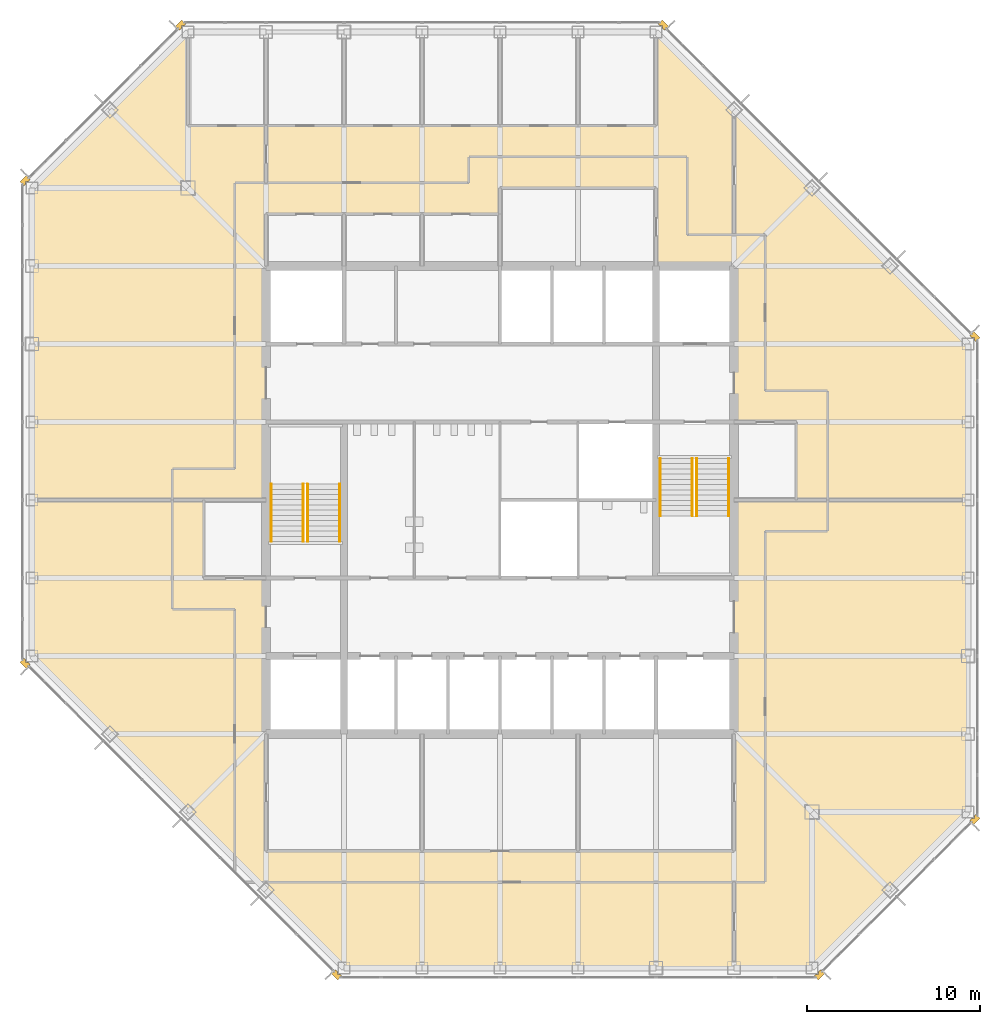
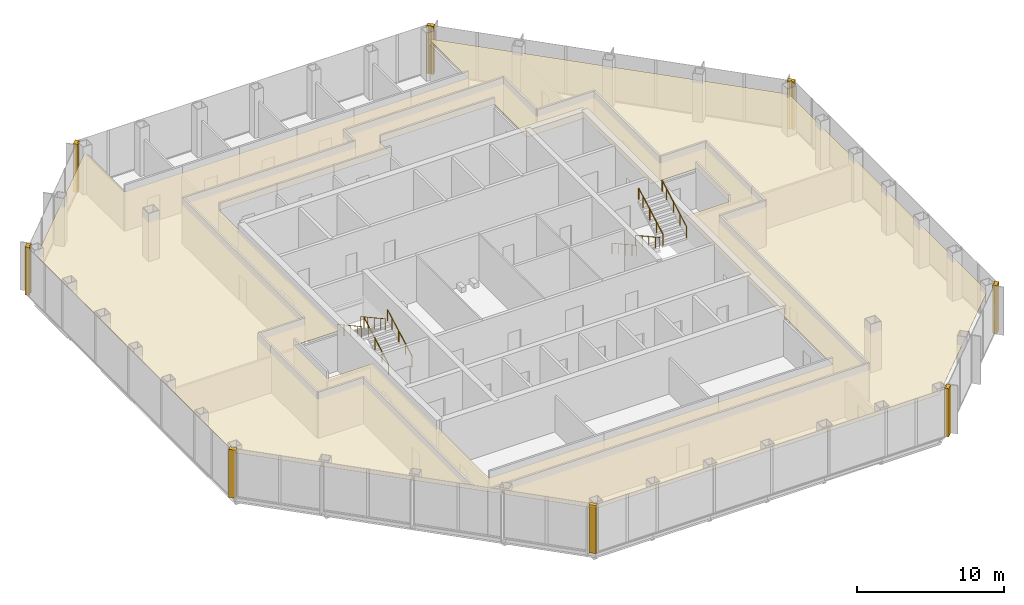
# One storey, part 12 of 13: 9 coverings, 8 railings.
"""IFC4 building model written with IfcOpenShell, lengths in metres."""

from ifc_helpers import new_model, si_unit, direction, frame, origin, origin_2d, place, context, subcontext, project, spatial, polyline, circle, outline, extrude, material, layer, layer_set, type_object, element, save


model = new_model("IFC4")

# Units and contexts
model_context = context("Model", 3, precision=1e-05, world=origin(), true_north=direction((0.0, 1.0)))
body_context = subcontext(model_context, "Body", "Model", "MODEL_VIEW")
ifc_project = project(units=[si_unit("LENGTHUNIT", "METRE"), si_unit("AREAUNIT", "SQUARE_METRE"), si_unit("VOLUMEUNIT", "CUBIC_METRE"), si_unit("PLANEANGLEUNIT", "RADIAN"), si_unit("MASSUNIT", "GRAM", prefix="KILO")], contexts=[model_context])

# Site, building, storey
site_placement = place(None, origin())
site = spatial("IfcSite", under=ifc_project, at=site_placement, CompositionType="ELEMENT")
building_placement = place(site_placement, origin())
building = spatial("IfcBuilding", under=site, at=building_placement, Name="Corais Broadcast Tower", CompositionType="ELEMENT")
storey_placement = place(building_placement, frame((0.0, 0.0, 167.60009765625)))
storey = spatial("IfcBuildingStorey", under=building, at=storey_placement, Name="L38", CompositionType="ELEMENT", Elevation=167.60009765625)

# Railings
ifc_material_1 = material(Name="Stainless steel handrail", Category="steel")
railing_type = type_object("IfcRailingType", Name="Handrail 920", PredefinedType="HANDRAIL", material=ifc_material_1)
for number, where, name in (
    (1, (17.75, 24.60009765625, 0.16650390625), "HR1 L38"),
    (2, (15.89990234375, 24.60009765625, 0.16650390625), "HR1 L38"),
):
    element("IfcRailing", number, at=place(storey_placement, frame(where)), inside=storey, type_object=railing_type, Name=name, PredefinedType="HANDRAIL", context=body_context, shape_type="SweptSolid", body=[
        extrude(circle(Radius=0.02392578125, at=origin_2d()), frame((0.0, 0.0, 0.89599609375), z_axis=(0.0, 0.875504475178, 0.483210010185), x_axis=(-1.0, 0.0, 0.0)), (0.0, 0.0, 1.0), 3.79443359375),
        extrude(circle(Radius=0.02099609375, at=origin_2d()), origin(), (0.0, 0.0, 1.0), 0.871826171875),
        extrude(circle(Radius=0.02099609375, at=origin_2d()), frame((0.0, 0.906005859375, 0.5)), (0.0, 0.0, 1.0), 0.871826171875),
        extrude(circle(Radius=0.02099609375, at=origin_2d()), frame((0.0, 1.81201171875, 1.0)), (0.0, 0.0, 1.0), 0.871826171875),
        extrude(circle(Radius=0.02099609375, at=origin_2d()), frame((0.0, 2.718017578125, 1.500244140625)), (0.0, 0.0, 1.0), 0.871826171875),
        extrude(circle(Radius=0.02099609375, at=origin_2d()), frame((0.0, 3.322021484375, 1.83349609375)), (0.0, 0.0, 1.0), 0.871826171875),
    ])
for number, where, name in (
    (3, (13.800048828125, 27.922119140625, 2.16650390625), "HR1 L38"),
    (4, (15.64990234375, 27.922119140625, 2.16650390625), "HR1 L38"),
    (5, (36.25, 29.39990234375, 0.16650390625), "HR1 L38"),
    (6, (38.10009765625, 29.39990234375, 0.16650390625), "HR1 L38"),
):
    element("IfcRailing", number, at=place(storey_placement, frame(where)), inside=storey, type_object=railing_type, Name=name, PredefinedType="HANDRAIL", context=body_context, shape_type="SweptSolid", body=[
        extrude(circle(Radius=0.02392578125, at=origin_2d()), frame((0.0, 0.0, 0.89599609375), z_axis=(0.0, -0.875504475178, 0.483210010185), x_axis=(1.0, 0.0, 0.0)), (0.0, 0.0, 1.0), 3.79443359375),
        extrude(circle(Radius=0.02099609375, at=origin_2d()), origin(), (0.0, 0.0, 1.0), 0.871826171875),
        extrude(circle(Radius=0.02099609375, at=origin_2d()), frame((0.0, -0.906005859375, 0.5)), (0.0, 0.0, 1.0), 0.871826171875),
        extrude(circle(Radius=0.02099609375, at=origin_2d()), frame((0.0, -1.81201171875, 1.0)), (0.0, 0.0, 1.0), 0.871826171875),
        extrude(circle(Radius=0.02099609375, at=origin_2d()), frame((0.0, -2.718017578125, 1.500244140625)), (0.0, 0.0, 1.0), 0.871826171875),
        extrude(circle(Radius=0.02099609375, at=origin_2d()), frame((0.0, -3.322021484375, 1.83349609375)), (0.0, 0.0, 1.0), 0.871826171875),
    ])
for number, where, name in (
    (7, (40.199951171875, 26.077880859375, 2.16650390625), "HR1 L38"),
    (8, (38.35009765625, 26.077880859375, 2.16650390625), "HR1 L38"),
):
    element("IfcRailing", number, at=place(storey_placement, frame(where)), inside=storey, type_object=railing_type, Name=name, PredefinedType="HANDRAIL", context=body_context, shape_type="SweptSolid", body=[
        extrude(circle(Radius=0.02392578125, at=origin_2d()), frame((0.0, 0.0, 0.89599609375), z_axis=(0.0, 0.875504475178, 0.483210010185), x_axis=(-1.0, 0.0, 0.0)), (0.0, 0.0, 1.0), 3.79443359375),
        extrude(circle(Radius=0.02099609375, at=origin_2d()), origin(), (0.0, 0.0, 1.0), 0.871826171875),
        extrude(circle(Radius=0.02099609375, at=origin_2d()), frame((0.0, 0.906005859375, 0.5)), (0.0, 0.0, 1.0), 0.871826171875),
        extrude(circle(Radius=0.02099609375, at=origin_2d()), frame((0.0, 1.81201171875, 1.0)), (0.0, 0.0, 1.0), 0.871826171875),
        extrude(circle(Radius=0.02099609375, at=origin_2d()), frame((0.0, 2.718017578125, 1.500244140625)), (0.0, 0.0, 1.0), 0.871826171875),
        extrude(circle(Radius=0.02099609375, at=origin_2d()), frame((0.0, 3.322021484375, 1.83349609375)), (0.0, 0.0, 1.0), 0.871826171875),
    ])

# Coverings
ifc_material_2 = material(Name="Granite stone cladding", Category="masonry")
ifc_layer_1 = layer(ifc_material_2, 0.324951171875)
ifc_layer_set_1 = layer_set([ifc_layer_1], Name="Granite stone cladding")
covering_type_1 = type_object("IfcCoveringType", Name="Stone corner pier cladding 500x325", PredefinedType="CLADDING", material=ifc_layer_set_1)
covering_1_placement = place(storey_placement, origin())
element("IfcCovering", 9, at=covering_1_placement, inside=storey, type_object=covering_type_1, Name="SP1 stone corner pier L38", PredefinedType="CLADDING", context=body_context, shape_type="SweptSolid", body=[
    extrude(outline(polyline([(17.860595703125, -0.461669921875), (17.77392578125, -0.375), (17.625, -0.375), (17.625, -0.22607421875), (17.507080078125, -0.108154296875), (17.277099609375, -0.337890625), (17.630859375, -0.69140625), (17.860595703125, -0.461669921875)])), origin(), (0.0, 0.0, 1.0), 4.0),
])
covering_2_placement = place(storey_placement, origin())
element("IfcCovering", 10, at=covering_2_placement, inside=storey, type_object=covering_type_1, Name="SP1 stone corner pier L38", PredefinedType="CLADDING", context=body_context, shape_type="SweptSolid", body=[
    extrude(outline(polyline([(-0.375, 17.77392578125), (-0.461669921875, 17.860595703125), (-0.69140625, 17.630859375), (-0.337890625, 17.277099609375), (-0.108154296875, 17.507080078125), (-0.22607421875, 17.625), (-0.375, 17.625), (-0.375, 17.77392578125)])), origin(), (0.0, 0.0, 1.0), 4.0),
])
covering_3_placement = place(storey_placement, origin())
element("IfcCovering", 11, at=covering_3_placement, inside=storey, type_object=covering_type_1, Name="SP1 stone corner pier L38", PredefinedType="CLADDING", context=body_context, shape_type="SweptSolid", body=[
    extrude(outline(polyline([(-0.461669921875, 45.139404296875), (-0.375, 45.22607421875), (-0.375, 45.375), (-0.22607421875, 45.375), (-0.108154296875, 45.492919921875), (-0.337890625, 45.722900390625), (-0.69140625, 45.369140625), (-0.461669921875, 45.139404296875)])), origin(), (0.0, 0.0, 1.0), 4.0),
])
covering_4_placement = place(storey_placement, origin())
element("IfcCovering", 12, at=covering_4_placement, inside=storey, type_object=covering_type_1, Name="SP1 stone corner pier L38", PredefinedType="CLADDING", context=body_context, shape_type="SweptSolid", body=[
    extrude(outline(polyline([(8.77392578125, 54.375), (8.860595703125, 54.461669921875), (8.630859375, 54.69140625), (8.277099609375, 54.337890625), (8.507080078125, 54.108154296875), (8.625, 54.22607421875), (8.625, 54.375), (8.77392578125, 54.375)])), origin(), (0.0, 0.0, 1.0), 4.0),
])
covering_5_placement = place(storey_placement, origin())
element("IfcCovering", 13, at=covering_5_placement, inside=storey, type_object=covering_type_1, Name="SP1 stone corner pier L38", PredefinedType="CLADDING", context=body_context, shape_type="SweptSolid", body=[
    extrude(outline(polyline([(36.139404296875, 54.461669921875), (36.22607421875, 54.375), (36.375, 54.375), (36.375, 54.22607421875), (36.492919921875, 54.108154296875), (36.722900390625, 54.337890625), (36.369140625, 54.69140625), (36.139404296875, 54.461669921875)])), origin(), (0.0, 0.0, 1.0), 4.0),
])
covering_6_placement = place(storey_placement, origin())
element("IfcCovering", 14, at=covering_6_placement, inside=storey, type_object=covering_type_1, Name="SP1 stone corner pier L38", PredefinedType="CLADDING", context=body_context, shape_type="SweptSolid", body=[
    extrude(outline(polyline([(54.375, 36.22607421875), (54.461669921875, 36.139404296875), (54.69140625, 36.369140625), (54.337890625, 36.722900390625), (54.108154296875, 36.492919921875), (54.22607421875, 36.375), (54.375, 36.375), (54.375, 36.22607421875)])), origin(), (0.0, 0.0, 1.0), 4.0),
])
covering_7_placement = place(storey_placement, origin())
element("IfcCovering", 15, at=covering_7_placement, inside=storey, type_object=covering_type_1, Name="SP1 stone corner pier L38", PredefinedType="CLADDING", context=body_context, shape_type="SweptSolid", body=[
    extrude(outline(polyline([(54.461669921875, 8.860595703125), (54.375, 8.77392578125), (54.375, 8.625), (54.22607421875, 8.625), (54.108154296875, 8.507080078125), (54.337890625, 8.277099609375), (54.69140625, 8.630859375), (54.461669921875, 8.860595703125)])), origin(), (0.0, 0.0, 1.0), 4.0),
])
covering_8_placement = place(storey_placement, origin())
element("IfcCovering", 16, at=covering_8_placement, inside=storey, type_object=covering_type_1, Name="SP1 stone corner pier L38", PredefinedType="CLADDING", context=body_context, shape_type="SweptSolid", body=[
    extrude(outline(polyline([(45.22607421875, -0.375), (45.139404296875, -0.461669921875), (45.369140625, -0.69140625), (45.722900390625, -0.337890625), (45.492919921875, -0.108154296875), (45.375, -0.22607421875), (45.375, -0.375), (45.22607421875, -0.375)])), origin(), (0.0, 0.0, 1.0), 4.0),
])
ifc_material_3 = material(Name="Mineral fibre ceiling tile", Category="mineral")
ifc_layer_2 = layer(ifc_material_3, 0.02001953125)
ifc_layer_set_2 = layer_set([ifc_layer_2], Name="Mineral fibre ceiling tile")
covering_type_2 = type_object("IfcCoveringType", Name="Suspended ceiling", PredefinedType="CEILING", material=ifc_layer_set_2)
covering_9_placement = place(storey_placement, frame((0.0, 0.0, 3.219970703125)))
element("IfcCovering", 17, at=covering_9_placement, inside=storey, type_object=covering_type_2, Name="CE1 ceiling L38", PredefinedType="CEILING", context=body_context, shape_type="SweptSolid", body=[
    extrude(outline(polyline([(54.0, 9.0), (45.0, 0.0), (18.0, 0.0), (13.5, 4.5), (13.5, 4.949951171875), (13.050048828125, 4.949951171875), (11.70166015625, 6.29833984375), (11.69970703125, 6.30029296875), (0.0, 18.0), (0.0, 45.0), (9.0, 54.0), (9.0, 48.60009765625), (36.0, 48.60009765625), (36.0, 54.0), (54.0, 36.0), (54.0, 9.0)]), holes=[polyline([(9.89990234375, 22.5), (13.5, 22.5), (13.5, 6.75), (40.5, 6.75), (40.5, 26.99951171875), (44.10009765625, 26.99951171875), (44.10009765625, 31.5), (40.5, 31.5), (40.5, 40.5), (36.0, 40.5), (36.0, 45.0), (27.0, 45.0), (27.0, 43.5), (13.5, 43.5), (13.5, 27.00048828125), (9.89990234375, 27.00048828125), (9.89990234375, 22.5)])]), origin(), (0.0, 0.0, 1.0), 0.02001953125),
])

save(model, "model.ifc")
